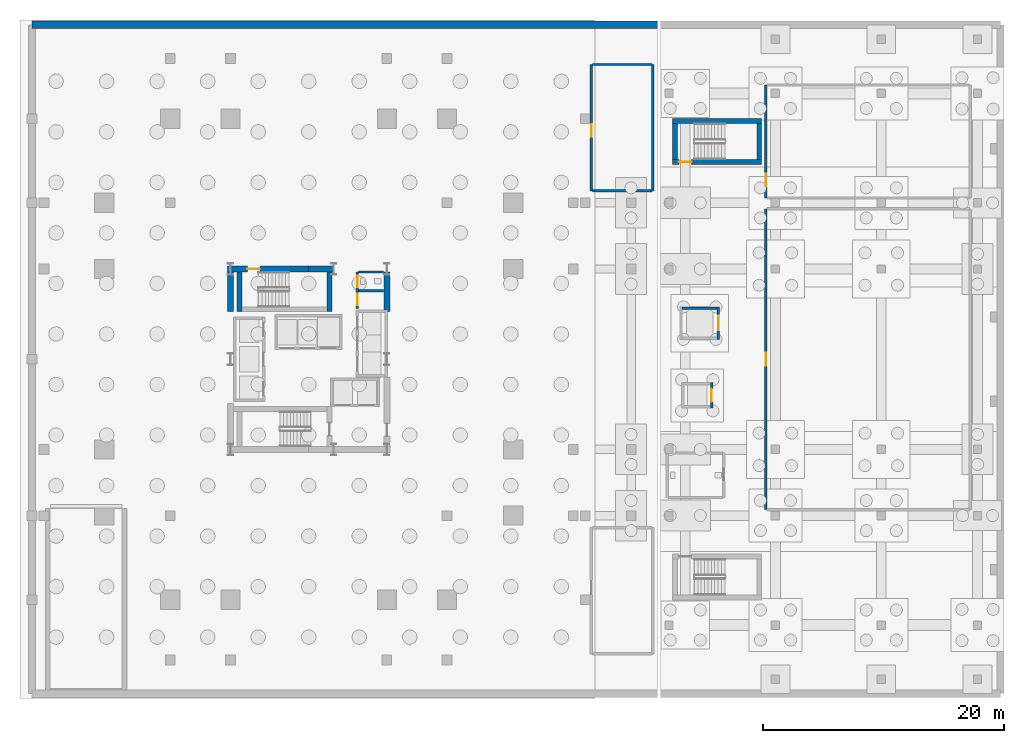
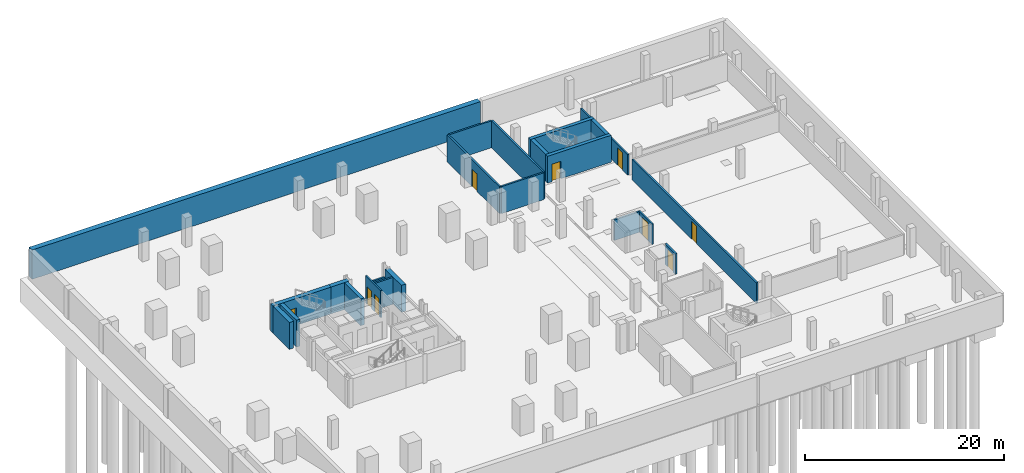
# One storey, part 6 of 13: 23 walls, 9 doors, 9 openings.
"""IFC4 building model written with IfcOpenShell, lengths in metres."""

from ifc_helpers import new_model, si_unit, direction, frame, frame_2d, origin, place, context, subcontext, project, spatial, rectangle, extrude, material, layer, layer_set, type_object, element, fill, save


model = new_model("IFC4")

# Units and contexts
model_context = context("Model", 3, precision=1e-05, world=origin(), true_north=direction((0.0, 1.0)))
body_context = subcontext(model_context, "Body", "Model", "MODEL_VIEW")
ifc_project = project(units=[si_unit("LENGTHUNIT", "METRE"), si_unit("AREAUNIT", "SQUARE_METRE"), si_unit("VOLUMEUNIT", "CUBIC_METRE"), si_unit("PLANEANGLEUNIT", "RADIAN"), si_unit("MASSUNIT", "GRAM", prefix="KILO")], contexts=[model_context])

# Site, building, storey
site_placement = place(None, origin())
site = spatial("IfcSite", under=ifc_project, at=site_placement, CompositionType="ELEMENT")
building_placement = place(site_placement, origin())
building = spatial("IfcBuilding", under=site, at=building_placement, Name="Barlavira Tower and Art Museum", CompositionType="ELEMENT")
storey_placement = place(building_placement, frame((0.0, 0.0, -7.199951171875)))
storey = spatial("IfcBuildingStorey", under=building, at=storey_placement, Name="B02", CompositionType="ELEMENT", Elevation=-7.199951171875)

# Wall, opening, door
ifc_material_1 = material(Name="Concrete C60", Category="concrete")
ifc_layer_1 = layer(ifc_material_1, 0.5, Name="Concrete C60")
ifc_layer_set_1 = layer_set([ifc_layer_1], Name="Concrete C60")
wall_type_1 = type_object("IfcWallType", Name="Core Structural Shear Wall 500 Concrete C60", PredefinedType="SHEAR", material=ifc_layer_set_1)
wall_1_placement = place(storey_placement, frame((-6.75, 7.5, 0.0), z_axis=(0.0, 0.0, 1.0), x_axis=(1.0, 0.0, 0.0)))
wall_1 = element("IfcWall", 1, at=wall_1_placement, inside=storey, type_object=wall_type_1, Name="B02 Core Shear Wall CS-NW", PredefinedType="SHEAR", context=body_context, shape_type="SweptSolid", body=[
    extrude(rectangle(XDim=6.75, YDim=0.5, at=frame_2d((3.375, 0.0))), origin(), (0.0, 0.0, 1.0), 3.300048828125),
])
opening_1_placement = place(wall_1_placement, frame((1.64990234375, 0.0, 0.0)))
opening_1 = element("IfcOpeningElement", 2, at=opening_1_placement, cuts=wall_1, Name="Opening FD-90", PredefinedType="OPENING", context=body_context, shape_type="SweptSolid", body=[
    extrude(rectangle(XDim=1.050048828125, YDim=2.14990234375, at=frame_2d((0.52490234375, 1.074951171875))), frame((0.0, 0.260009765625, 0.0), z_axis=(0.0, -1.0, 0.0), x_axis=(1.0, 0.0, 0.0)), (0.0, 0.0, 1.0), 0.52001953125),
])
ifc_material_2 = material(Name="Brushed stainless steel", Category="steel")
door_type_1 = type_object("IfcDoorType", Name="Stair and Refuge Fire Door 1050x2150 FD90S", OperationType="NOTDEFINED", PredefinedType="DOOR", material=ifc_material_2)
door_1_placement = place(opening_1_placement, origin())
door_1 = element("IfcDoor", 3, at=door_1_placement, inside=storey, type_object=door_type_1, Name="B02 Stair ST-T2 Fire Door", OperationType="SINGLE_SWING_LEFT", OverallHeight=2.14990234375, OverallWidth=1.050048828125, PredefinedType="DOOR", context=body_context, shape_type="SweptSolid", body=[
    extrude(rectangle(XDim=1.050048828125, YDim=2.14990234375, at=frame_2d((0.52490234375, 1.074951171875))), frame((0.0, 0.02490234375, 0.0), z_axis=(0.0, -1.0, 0.0), x_axis=(1.0, 0.0, 0.0)), (0.0, 0.0, 1.0), 0.050048828125),
])
fill(opening_1, door_1)

# Walls
wall_2_placement = place(storey_placement, frame((0.0, 7.5, 0.0), z_axis=(0.0, 0.0, 1.0), x_axis=(1.0, 0.0, 0.0)))
element("IfcWall", 4, at=wall_2_placement, inside=storey, type_object=wall_type_1, Name="B02 Core Shear Wall CS-EN", PredefinedType="SHEAR", context=body_context, shape_type="SweptSolid", body=[
    extrude(rectangle(XDim=2.080078125, YDim=0.5, at=frame_2d((1.0400390625, 0.0))), origin(), (0.0, 0.0, 1.0), 3.300048828125),
])
for number, where, z_axis, x_axis, name in (
    (5, (-6.5, 3.949951171875, 0.0), (0.0, 0.0, 1.0), (0.0, 1.0, 0.0), "B02 Core Shear Wall CS-W2"),
    (6, (6.5, 3.949951171875, 0.0), (0.0, 0.0, 1.0), (0.0, 1.0, 0.0), "B02 Core Shear Wall CS-E2"),
):
    element("IfcWall", number, at=place(storey_placement, frame(where, z_axis=z_axis, x_axis=x_axis)), inside=storey, type_object=wall_type_1, Name=name, PredefinedType="SHEAR", context=body_context, shape_type="SweptSolid", body=[
        extrude(rectangle(XDim=3.300048828125, YDim=0.5, at=frame_2d((1.64990234375, 0.0))), origin(), (0.0, 0.0, 1.0), 3.300048828125),
    ])

# Wall, opening, door
ifc_material_3 = material(Name="Autoclaved aerated concrete masonry", Category="masonry")
ifc_layer_2 = layer(ifc_material_3, 0.199951171875, Name="Autoclaved aerated concrete masonry")
ifc_layer_set_2 = layer_set([ifc_layer_2], Name="Autoclaved aerated concrete masonry")
wall_type_2 = type_object("IfcWallType", Name="Fire Compartment and Shaft Wall 200", PredefinedType="SOLIDWALL", material=ifc_layer_set_2)
wall_3_placement = place(storey_placement, frame((33.5, -4.050048828125, 0.0), z_axis=(0.0, 0.0, 1.0), x_axis=(0.0, 1.0, 0.0)))
wall_3 = element("IfcWall", 7, at=wall_3_placement, inside=storey, type_object=wall_type_2, Name="B02 Museum Lift ML1 Front Wall", PredefinedType="SOLIDWALL", context=body_context, shape_type="SweptSolid", body=[
    extrude(rectangle(XDim=2.10009765625, YDim=0.199951171875, at=frame_2d((1.050048828125, 0.0))), origin(), (0.0, 0.0, 1.0), 2.516845703125),
])
opening_2_placement = place(wall_3_placement, frame((0.5, 0.0, 0.0)))
opening_2 = element("IfcOpeningElement", 8, at=opening_2_placement, cuts=wall_3, Name="Opening LD-P", PredefinedType="OPENING", context=body_context, shape_type="SweptSolid", body=[
    extrude(rectangle(XDim=1.10009765625, YDim=2.14990234375, at=frame_2d((0.550048828125, 1.074951171875))), frame((0.0, 0.10986328125, 0.0), z_axis=(0.0, -1.0, 0.0), x_axis=(1.0, 0.0, 0.0)), (0.0, 0.0, 1.0), 0.219970703125),
])
door_type_2 = type_object("IfcDoorType", Name="Passenger Lift Sliding Landing Door 1100x2150 FD60", OperationType="NOTDEFINED", PredefinedType="DOOR", material=ifc_material_2)
door_2_placement = place(opening_2_placement, origin())
door_2 = element("IfcDoor", 9, at=door_2_placement, inside=storey, type_object=door_type_2, Name="B02 Museum Lift ML1 Sliding Landing Door", OperationType="DOUBLE_DOOR_SLIDING", OverallHeight=2.14990234375, OverallWidth=1.10009765625, PredefinedType="DOOR", context=body_context, shape_type="SweptSolid", body=[
    extrude(rectangle(XDim=1.10009765625, YDim=2.14990234375, at=frame_2d((0.550048828125, 1.074951171875))), frame((0.0, 0.02490234375, 0.0), z_axis=(0.0, -1.0, 0.0), x_axis=(1.0, 0.0, 0.0)), (0.0, 0.0, 1.0), 0.050048828125),
])
fill(opening_2, door_2)

wall_4_placement = place(storey_placement, frame((34.050048828125, 1.64990234375, 0.0), z_axis=(0.0, 0.0, 1.0), x_axis=(0.0, 1.0, 0.0)))
wall_4 = element("IfcWall", 10, at=wall_4_placement, inside=storey, type_object=wall_type_2, Name="B02 Museum Lift MG1 Front Wall", PredefinedType="SOLIDWALL", context=body_context, shape_type="SweptSolid", body=[
    extrude(rectangle(XDim=2.7001953125, YDim=0.199951171875, at=frame_2d((1.35009765625, 0.0))), origin(), (0.0, 0.0, 1.0), 2.516845703125),
])
opening_3_placement = place(wall_4_placement, frame((0.75, 0.0, 0.0)))
opening_3 = element("IfcOpeningElement", 11, at=opening_3_placement, cuts=wall_4, Name="Opening LD-F", PredefinedType="OPENING", context=body_context, shape_type="SweptSolid", body=[
    extrude(rectangle(XDim=1.199951171875, YDim=2.199951171875, at=frame_2d((0.60009765625, 1.10009765625))), frame((0.0, 0.10986328125, 0.0), z_axis=(0.0, -1.0, 0.0), x_axis=(1.0, 0.0, 0.0)), (0.0, 0.0, 1.0), 0.219970703125),
])
door_type_3 = type_object("IfcDoorType", Name="Firefighting and Service Lift Sliding Door 1200x2200 FD120", OperationType="NOTDEFINED", PredefinedType="DOOR", material=ifc_material_2)
door_3_placement = place(opening_3_placement, origin())
door_3 = element("IfcDoor", 12, at=door_3_placement, inside=storey, type_object=door_type_3, Name="B02 Museum Lift MG1 Sliding Landing Door", OperationType="DOUBLE_DOOR_SLIDING", OverallHeight=2.199951171875, OverallWidth=1.199951171875, PredefinedType="DOOR", context=body_context, shape_type="SweptSolid", body=[
    extrude(rectangle(XDim=1.199951171875, YDim=2.199951171875, at=frame_2d((0.60009765625, 1.10009765625))), frame((0.0, 0.02490234375, 0.0), z_axis=(0.0, -1.0, 0.0), x_axis=(1.0, 0.0, 0.0)), (0.0, 0.0, 1.0), 0.050048828125),
])
fill(opening_3, door_3)

# Wall
wall_5_placement = place(storey_placement, frame((31.050048828125, 4.25, 0.0), z_axis=(0.0, 0.0, 1.0), x_axis=(1.0, 0.0, 0.0)))
element("IfcWall", 13, at=wall_5_placement, inside=storey, type_object=wall_type_2, Name="B02 Museum Lift MG1 North Wall", PredefinedType="SOLIDWALL", context=body_context, shape_type="SweptSolid", body=[
    extrude(rectangle(XDim=2.89990234375, YDim=0.199951171875, at=frame_2d((1.449951171875, 0.0))), origin(), (0.0, 0.0, 1.0), 2.516845703125),
])

# Wall, openings, doors
wall_6_placement = place(storey_placement, frame((4.050048828125, 4.199951171875, 0.0), z_axis=(0.0, 0.0, 1.0), x_axis=(0.0, 1.0, 0.0)))
wall_6 = element("IfcWall", 14, at=wall_6_placement, inside=storey, type_object=wall_type_2, Name="B02 Partition Wall 1", PredefinedType="SOLIDWALL", context=body_context, shape_type="SweptSolid", body=[
    extrude(rectangle(XDim=3.050048828125, YDim=0.199951171875, at=frame_2d((1.52490234375, 0.0))), origin(), (0.0, 0.0, 1.0), 3.300048828125),
])
opening_4_placement = place(wall_6_placement, frame((0.27490234375, 0.0, 0.0)))
opening_4 = element("IfcOpeningElement", 15, at=opening_4_placement, cuts=wall_6, Name="Opening FD-60", PredefinedType="OPENING", context=body_context, shape_type="SweptSolid", body=[
    extrude(rectangle(XDim=0.949951171875, YDim=2.14990234375, at=frame_2d((0.47509765625, 1.074951171875))), frame((0.0, 0.10986328125, 0.0), z_axis=(0.0, -1.0, 0.0), x_axis=(1.0, 0.0, 0.0)), (0.0, 0.0, 1.0), 0.219970703125),
])
opening_5_placement = place(wall_6_placement, frame((1.77490234375, 0.0, 0.0)))
opening_5 = element("IfcOpeningElement", 16, at=opening_5_placement, cuts=wall_6, Name="Opening FD-60", PredefinedType="OPENING", context=body_context, shape_type="SweptSolid", body=[
    extrude(rectangle(XDim=0.949951171875, YDim=2.14990234375, at=frame_2d((0.47509765625, 1.074951171875))), frame((0.0, 0.10986328125, 0.0), z_axis=(0.0, -1.0, 0.0), x_axis=(1.0, 0.0, 0.0)), (0.0, 0.0, 1.0), 0.219970703125),
])
door_type_4 = type_object("IfcDoorType", Name="Apartment Entrance and Riser Fire Door 950x2150 FD60S", OperationType="NOTDEFINED", PredefinedType="DOOR", material=ifc_material_2)
door_4_placement = place(opening_4_placement, origin())
door_4 = element("IfcDoor", 17, at=door_4_placement, inside=storey, type_object=door_type_4, Name="Electrical Switchgear Room Door", OperationType="SINGLE_SWING_LEFT", OverallHeight=2.14990234375, OverallWidth=0.949951171875, PredefinedType="DOOR", context=body_context, shape_type="SweptSolid", body=[
    extrude(rectangle(XDim=0.949951171875, YDim=2.14990234375, at=frame_2d((0.47509765625, 1.074951171875))), frame((0.0, 0.02490234375, 0.0), z_axis=(0.0, -1.0, 0.0), x_axis=(1.0, 0.0, 0.0)), (0.0, 0.0, 1.0), 0.050048828125),
])
fill(opening_4, door_4)
door_5_placement = place(opening_5_placement, origin())
door_5 = element("IfcDoor", 18, at=door_5_placement, inside=storey, type_object=door_type_4, Name="Core Staff Toilet Door", OperationType="SINGLE_SWING_RIGHT", OverallHeight=2.14990234375, OverallWidth=0.949951171875, PredefinedType="DOOR", context=body_context, shape_type="SweptSolid", body=[
    extrude(rectangle(XDim=0.949951171875, YDim=2.14990234375, at=frame_2d((0.47509765625, 1.074951171875))), frame((0.0, 0.02490234375, 0.0), z_axis=(0.0, -1.0, 0.0), x_axis=(1.0, 0.0, 0.0)), (0.0, 0.0, 1.0), 0.050048828125),
])
fill(opening_5, door_5)

# Wall, opening, door
wall_7_placement = place(storey_placement, frame((23.5, 14.0, 0.0), z_axis=(0.0, 0.0, 1.0), x_axis=(0.0, 1.0, 0.0)))
wall_7 = element("IfcWall", 19, at=wall_7_placement, inside=storey, type_object=wall_type_2, Name="B02 Partition Wall 3", PredefinedType="SOLIDWALL", context=body_context, shape_type="SweptSolid", body=[
    extrude(rectangle(XDim=10.5, YDim=0.199951171875, at=frame_2d((5.25, 0.0))), origin(), (0.0, 0.0, 1.0), 3.300048828125),
])
opening_6_placement = place(wall_7_placement, frame((4.47509765625, 0.0, 0.0)))
opening_6 = element("IfcOpeningElement", 20, at=opening_6_placement, cuts=wall_7, Name="Opening FD-90", PredefinedType="OPENING", context=body_context, shape_type="SweptSolid", body=[
    extrude(rectangle(XDim=1.050048828125, YDim=2.14990234375, at=frame_2d((0.52490234375, 1.074951171875))), frame((0.0, 0.10986328125, 0.0), z_axis=(0.0, -1.0, 0.0), x_axis=(1.0, 0.0, 0.0)), (0.0, 0.0, 1.0), 0.219970703125),
])
door_6_placement = place(opening_6_placement, origin())
door_6 = element("IfcDoor", 21, at=door_6_placement, inside=storey, type_object=door_type_1, Name="B02 Standby Diesel Generator Plant Room Door", OperationType="SINGLE_SWING_RIGHT", OverallHeight=2.14990234375, OverallWidth=1.050048828125, PredefinedType="DOOR", context=body_context, shape_type="SweptSolid", body=[
    extrude(rectangle(XDim=1.050048828125, YDim=2.14990234375, at=frame_2d((0.52490234375, 1.074951171875))), frame((0.0, 0.02490234375, 0.0), z_axis=(0.0, -1.0, 0.0), x_axis=(1.0, 0.0, 0.0)), (0.0, 0.0, 1.0), 0.050048828125),
])
fill(opening_6, door_6)

# Wall
wall_8_placement = place(storey_placement, frame((28.60009765625, 14.0, 0.0), z_axis=(0.0, 0.0, 1.0), x_axis=(0.0, 1.0, 0.0)))
element("IfcWall", 22, at=wall_8_placement, inside=storey, type_object=wall_type_2, Name="B02 Partition Wall 5", PredefinedType="SOLIDWALL", context=body_context, shape_type="SweptSolid", body=[
    extrude(rectangle(XDim=10.5, YDim=0.199951171875, at=frame_2d((5.25, 0.0))), origin(), (0.0, 0.0, 1.0), 3.300048828125),
])

# Wall, opening, door
wall_9_placement = place(storey_placement, frame((38.0, -12.5, 0.0), z_axis=(0.0, 0.0, 1.0), x_axis=(0.0, 1.0, 0.0)))
wall_9 = element("IfcWall", 23, at=wall_9_placement, inside=storey, type_object=wall_type_2, Name="B02 Partition Wall 8", PredefinedType="SOLIDWALL", context=body_context, shape_type="SweptSolid", body=[
    extrude(rectangle(XDim=25.0, YDim=0.199951171875, at=frame_2d((12.5, 0.0))), origin(), (0.0, 0.0, 1.0), 2.516845703125),
])
opening_7_placement = place(wall_9_placement, frame((11.97509765625, 0.0, 0.0)))
opening_7 = element("IfcOpeningElement", 24, at=opening_7_placement, cuts=wall_9, Name="Opening FD-90", PredefinedType="OPENING", context=body_context, shape_type="SweptSolid", body=[
    extrude(rectangle(XDim=1.050048828125, YDim=2.14990234375, at=frame_2d((0.52490234375, 1.074951171875))), frame((0.0, 0.10986328125, 0.0), z_axis=(0.0, -1.0, 0.0), x_axis=(1.0, 0.0, 0.0)), (0.0, 0.0, 1.0), 0.219970703125),
])
door_7_placement = place(opening_7_placement, origin())
door_7 = element("IfcDoor", 25, at=door_7_placement, inside=storey, type_object=door_type_1, Name="B02 Climate-Controlled Art Collection Archive Door", OperationType="SINGLE_SWING_LEFT", OverallHeight=2.14990234375, OverallWidth=1.050048828125, PredefinedType="DOOR", context=body_context, shape_type="SweptSolid", body=[
    extrude(rectangle(XDim=1.050048828125, YDim=2.14990234375, at=frame_2d((0.52490234375, 1.074951171875))), frame((0.0, 0.02490234375, 0.0), z_axis=(0.0, -1.0, 0.0), x_axis=(1.0, 0.0, 0.0)), (0.0, 0.0, 1.0), 0.050048828125),
])
fill(opening_7, door_7)

# Walls
wall_10_placement = place(storey_placement, frame((4.1298828125, 5.699951171875, 0.0), z_axis=(0.0, 0.0, 1.0), x_axis=(1.0, 0.0, 0.0)))
element("IfcWall", 26, at=wall_10_placement, inside=storey, type_object=wall_type_2, Name="B02 Partition Wall 17", PredefinedType="SOLIDWALL", context=body_context, shape_type="SweptSolid", body=[
    extrude(rectangle(XDim=2.070068359375, YDim=0.199951171875, at=frame_2d((1.03515625, 0.0))), origin(), (0.0, 0.0, 1.0), 3.300048828125),
])
wall_11_placement = place(storey_placement, frame((4.1298828125, 7.25, 0.0), z_axis=(0.0, 0.0, 1.0), x_axis=(1.0, 0.0, 0.0)))
element("IfcWall", 27, at=wall_11_placement, inside=storey, type_object=wall_type_2, Name="B02 Partition Wall 18", PredefinedType="SOLIDWALL", context=body_context, shape_type="SweptSolid", body=[
    extrude(rectangle(XDim=2.070068359375, YDim=0.199951171875, at=frame_2d((1.03515625, 0.0))), origin(), (0.0, 0.0, 1.0), 2.385009765625),
])
for number, where, z_axis, x_axis, name in (
    (28, (23.580078125, 14.0, 0.0), (0.0, 0.0, 1.0), (1.0, 0.0, 0.0), "B02 Partition Wall 21"),
    (29, (23.580078125, 24.5, 0.0), (0.0, 0.0, 1.0), (1.0, 0.0, 0.0), "B02 Partition Wall 23"),
):
    element("IfcWall", number, at=place(storey_placement, frame(where, z_axis=z_axis, x_axis=x_axis)), inside=storey, type_object=wall_type_2, Name=name, PredefinedType="SOLIDWALL", context=body_context, shape_type="SweptSolid", body=[
        extrude(rectangle(XDim=4.93994140625, YDim=0.199951171875, at=frame_2d((2.469970703125, 0.0))), origin(), (0.0, 0.0, 1.0), 3.300048828125),
    ])

# Wall, opening, door
ifc_material_4 = material(Name="Gypsum acoustic stud partition", Category="gypsum")
ifc_layer_3 = layer(ifc_material_4, 0.179931640625, Name="Gypsum acoustic stud partition")
ifc_layer_set_3 = layer_set([ifc_layer_3], Name="Gypsum acoustic stud partition")
wall_type_3 = type_object("IfcWallType", Name="Inter-Tenancy Party Partition Wall 180", PredefinedType="PARTITIONING", material=ifc_layer_set_3)
wall_12_placement = place(storey_placement, frame((38.0, 13.39990234375, 0.0), z_axis=(0.0, 0.0, 1.0), x_axis=(0.0, 1.0, 0.0)))
wall_12 = element("IfcWall", 30, at=wall_12_placement, inside=storey, type_object=wall_type_3, Name="B02 Partition Wall 9", PredefinedType="PARTITIONING", context=body_context, shape_type="SweptSolid", body=[
    extrude(rectangle(XDim=9.400146484375, YDim=0.179931640625, at=frame_2d((4.7001953125, 0.0))), origin(), (0.0, 0.0, 1.0), 2.516845703125),
])
opening_8_placement = place(wall_12_placement, frame((0.97509765625, 0.0, 0.0)))
opening_8 = element("IfcOpeningElement", 31, at=opening_8_placement, cuts=wall_12, Name="Opening FD-90", PredefinedType="OPENING", context=body_context, shape_type="SweptSolid", body=[
    extrude(rectangle(XDim=1.050048828125, YDim=2.14990234375, at=frame_2d((0.52490234375, 1.074951171875))), frame((0.0, 0.10009765625, 0.0), z_axis=(0.0, -1.0, 0.0), x_axis=(1.0, 0.0, 0.0)), (0.0, 0.0, 1.0), 0.199951171875),
])
door_8_placement = place(opening_8_placement, origin())
door_8 = element("IfcDoor", 32, at=door_8_placement, inside=storey, type_object=door_type_1, Name="B02 Art Conservation and Framing Laboratory Door", OperationType="SINGLE_SWING_RIGHT", OverallHeight=2.14990234375, OverallWidth=1.050048828125, PredefinedType="DOOR", context=body_context, shape_type="SweptSolid", body=[
    extrude(rectangle(XDim=1.050048828125, YDim=2.14990234375, at=frame_2d((0.52490234375, 1.074951171875))), frame((0.0, 0.02490234375, 0.0), z_axis=(0.0, -1.0, 0.0), x_axis=(1.0, 0.0, 0.0)), (0.0, 0.0, 1.0), 0.050048828125),
])
fill(opening_8, door_8)

# Walls
ifc_material_5 = material(Name="Concrete C50", Category="concrete")
ifc_layer_4 = layer(ifc_material_5, 0.60009765625, Name="Concrete C50")
ifc_layer_set_4 = layer_set([ifc_layer_4], Name="Concrete C50")
wall_type_4 = type_object("IfcWallType", Name="Perimeter Basement Retaining Wall 600 Concrete C50", PredefinedType="USERDEFINED", material=ifc_layer_set_4)
wall_13_placement = place(storey_placement, frame((29.0, 27.800048828125, 0.0), z_axis=(0.0, 0.0, 1.0), x_axis=(-1.0, 0.0, 0.0)))
element("IfcWall", 33, at=wall_13_placement, inside=storey, type_object=wall_type_4, Name="B02 Retaining Wall NW", ObjectType="RETAININGWALL", PredefinedType="USERDEFINED", context=body_context, shape_type="SweptSolid", body=[
    extrude(rectangle(XDim=52.0, YDim=0.60009765625, at=frame_2d((26.0, 0.0))), origin(), (0.0, 0.0, 1.0), 3.599853515625),
])
ifc_material_6 = material(Name="Concrete C55", Category="concrete")
ifc_layer_5 = layer(ifc_material_6, 0.39990234375, Name="Concrete C55")
ifc_layer_set_5 = layer_set([ifc_layer_5], Name="Concrete C55")
wall_type_5 = type_object("IfcWallType", Name="Upper Core Shear Wall 400 Concrete C55", PredefinedType="SHEAR", material=ifc_layer_set_5)
for number, where, z_axis, x_axis, name in (
    (34, (1.72998046875, 3.949951171875, 0.0), (0.0, 0.0, 1.0), (0.0, 1.0, 0.0), "B02 ST-T2 East Half-Landing Wall"),
    (35, (-5.75, 3.949951171875, 0.0), (0.0, 0.0, 1.0), (0.0, 1.0, 0.0), "B02 ST-T2 West Shaft Wall"),
):
    element("IfcWall", number, at=place(storey_placement, frame(where, z_axis=z_axis, x_axis=x_axis)), inside=storey, type_object=wall_type_5, Name=name, PredefinedType="SHEAR", context=body_context, shape_type="SweptSolid", body=[
        extrude(rectangle(XDim=3.300048828125, YDim=0.39990234375, at=frame_2d((1.64990234375, 0.0))), origin(), (0.0, 0.0, 1.0), 3.300048828125),
    ])
wall_14_placement = place(storey_placement, frame((30.25, 19.800048828125, 0.0), z_axis=(0.0, 0.0, 1.0), x_axis=(1.0, 0.0, 0.0)))
element("IfcWall", 36, at=wall_14_placement, inside=storey, type_object=wall_type_5, Name="B02 ST-M2 North Shaft Wall", PredefinedType="SHEAR", context=body_context, shape_type="SweptSolid", body=[
    extrude(rectangle(XDim=7.39990234375, YDim=0.39990234375, at=frame_2d((3.699951171875, 0.0))), origin(), (0.0, 0.0, 1.0), 3.300048828125),
])
for number, where, z_axis, x_axis, name in (
    (37, (37.449951171875, 16.60009765625, 0.0), (0.0, 0.0, 1.0), (0.0, 1.0, 0.0), "B02 ST-M2 East Half-Landing Wall"),
    (38, (30.449951171875, 16.60009765625, 0.0), (0.0, 0.0, 1.0), (0.0, 1.0, 0.0), "B02 ST-M2 West Shaft Wall"),
):
    element("IfcWall", number, at=place(storey_placement, frame(where, z_axis=z_axis, x_axis=x_axis)), inside=storey, type_object=wall_type_5, Name=name, PredefinedType="SHEAR", context=body_context, shape_type="SweptSolid", body=[
        extrude(rectangle(XDim=3.0, YDim=0.39990234375, at=frame_2d((1.5, 0.0))), origin(), (0.0, 0.0, 1.0), 3.300048828125),
    ])

# Wall, opening, door
wall_15_placement = place(storey_placement, frame((37.64990234375, 16.39990234375, 0.0), z_axis=(0.0, 0.0, 1.0), x_axis=(-1.0, 0.0, 0.0)))
wall_15 = element("IfcWall", 39, at=wall_15_placement, inside=storey, type_object=wall_type_5, Name="B02 ST-M2 South Landing Wall", PredefinedType="SHEAR", context=body_context, shape_type="SweptSolid", body=[
    extrude(rectangle(XDim=7.39990234375, YDim=0.39990234375, at=frame_2d((3.699951171875, 0.0))), origin(), (0.0, 0.0, 1.0), 3.300048828125),
])
opening_9_placement = place(wall_15_placement, frame((5.820068359375, 0.0, 0.0)))
opening_9 = element("IfcOpeningElement", 40, at=opening_9_placement, cuts=wall_15, Name="Opening FD-90", PredefinedType="OPENING", context=body_context, shape_type="SweptSolid", body=[
    extrude(rectangle(XDim=1.050048828125, YDim=2.14990234375, at=frame_2d((0.52490234375, 1.074951171875))), frame((0.0, 0.2099609375, 0.0), z_axis=(0.0, -1.0, 0.0), x_axis=(1.0, 0.0, 0.0)), (0.0, 0.0, 1.0), 0.419921875),
])
door_9_placement = place(opening_9_placement, origin())
door_9 = element("IfcDoor", 41, at=door_9_placement, inside=storey, type_object=door_type_1, Name="B02 Museum North Stair ST-M2 Fire Door", OperationType="SINGLE_SWING_RIGHT", OverallHeight=2.14990234375, OverallWidth=1.050048828125, PredefinedType="DOOR", context=body_context, shape_type="SweptSolid", body=[
    extrude(rectangle(XDim=1.050048828125, YDim=2.14990234375, at=frame_2d((0.52490234375, 1.074951171875))), frame((0.0, 0.02490234375, 0.0), z_axis=(0.0, -1.0, 0.0), x_axis=(1.0, 0.0, 0.0)), (0.0, 0.0, 1.0), 0.050048828125),
])
fill(opening_9, door_9)

save(model, "model.ifc")
